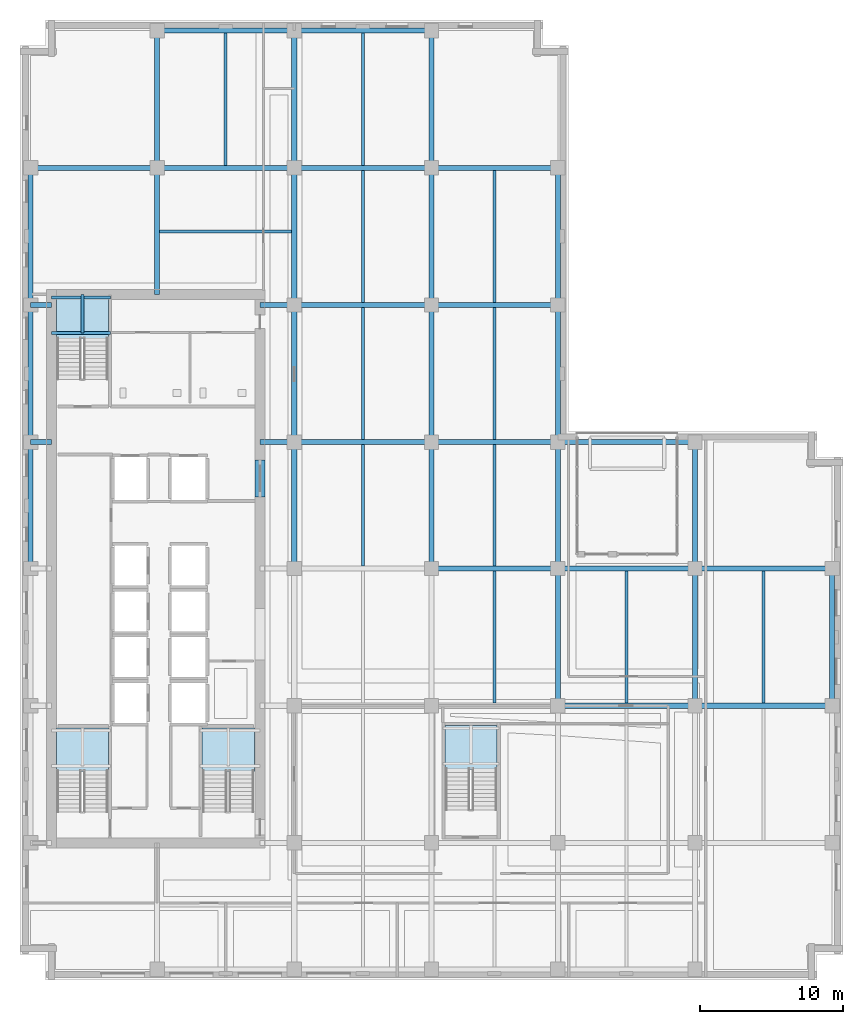
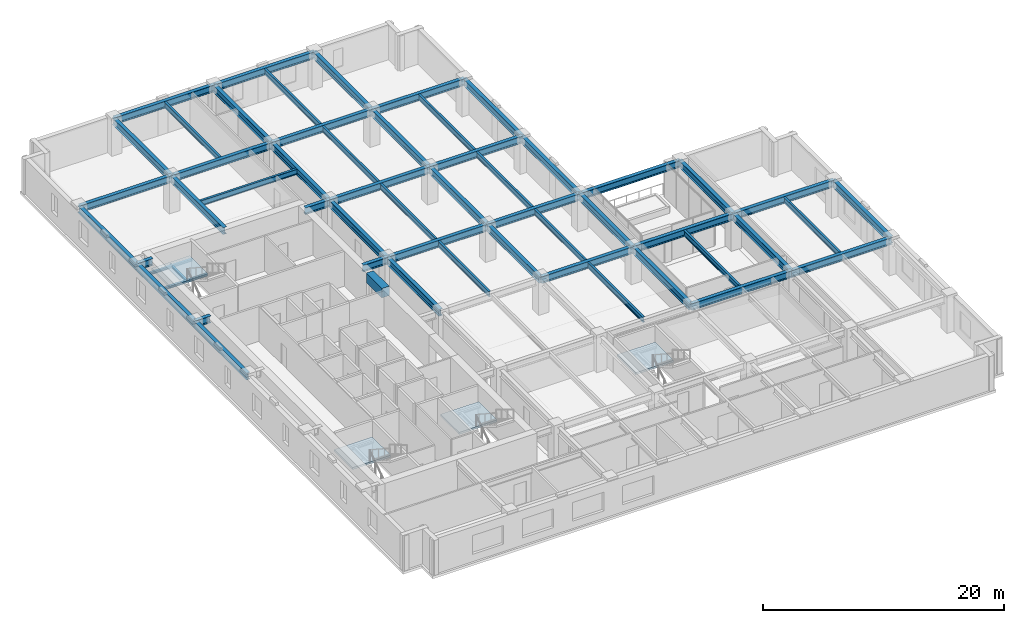
# One storey, part 2 of 16: 56 beams, 4 slabs, 4 elements without a shape of their own.
"""IFC4 building model written with IfcOpenShell, lengths in metres."""

from ifc_helpers import new_model, si_unit, direction, frame, origin, origin_2d, place, context, subcontext, project, spatial, polyline, rectangle, i_section, outline, extrude, material, layer, layer_set, material_profile, profile_set, type_object, element, aggregate, save


model = new_model("IFC4")

# Units and contexts
model_context = context("Model", 3, precision=1e-05, world=origin(), true_north=direction((0.0, 1.0)))
body_context = subcontext(model_context, "Body", "Model", "MODEL_VIEW")
ifc_project = project(units=[si_unit("LENGTHUNIT", "METRE"), si_unit("AREAUNIT", "SQUARE_METRE"), si_unit("VOLUMEUNIT", "CUBIC_METRE"), si_unit("PLANEANGLEUNIT", "RADIAN"), si_unit("MASSUNIT", "GRAM", prefix="KILO")], contexts=[model_context])

# Site, building, storey
site_placement = place(None, origin())
site = spatial("IfcSite", under=ifc_project, at=site_placement, CompositionType="ELEMENT")
building_placement = place(site_placement, origin())
building = spatial("IfcBuilding", under=site, at=building_placement, Name="Norrvale University Quadrangle", CompositionType="ELEMENT")
storey_placement = place(building_placement, frame((0.0, 0.0, 112.800048828125)))
storey = spatial("IfcBuildingStorey", under=building, at=storey_placement, Name="L28", CompositionType="ELEMENT", Elevation=112.800048828125)

# Beams
ifc_material_1 = material(Name="Steel 350W", Category="steel")
ifc_material_profile_1 = material_profile(ifc_material_1, i_section(OverallWidth=0.35498046875, OverallDepth=0.695068359375, WebThickness=0.015380859375, FlangeThickness=0.02490234375, FilletRadius=0.01806640625, at=origin_2d()), Name="Steel 350W")
ifc_profile_set_1 = profile_set([ifc_material_profile_1], Name="Steel 350W")
beam_type_1 = type_object("IfcBeamType", Name="Beam Belt W690x217", PredefinedType="BEAM", material=ifc_profile_set_1)
for number, where, z_axis, x_axis, name in (
    (1, (37.64990234375, 19.199951171875, 3.1923828125), (1.0, 0.0, 0.0), (0.0, 1.0, 0.0), "Beam Belt W690x217 BM-L28-GX011"),
    (2, (47.25, 19.199951171875, 3.1923828125), (1.0, 0.0, 0.0), (0.0, 1.0, 0.0), "Beam Belt W690x217 BM-L28-GX012"),
):
    element("IfcBeam", number, at=place(storey_placement, frame(where, z_axis=z_axis, x_axis=x_axis)), inside=storey, type_object=beam_type_1, Name=name, PredefinedType="BEAM", context=body_context, shape_type="SweptSolid", body=[
        extrude(i_section(OverallWidth=0.35498046875, OverallDepth=0.695068359375, WebThickness=0.015380859375, FlangeThickness=0.02490234375, FilletRadius=0.01806640625, at=origin_2d()), origin(), (0.0, 0.0, 1.0), 9.60009765625),
    ])
beam_1_placement = place(storey_placement, frame((28.800048828125, 28.800048828125, 3.1923828125), z_axis=(1.0, 0.0, 0.0), x_axis=(0.0, 1.0, 0.0)))
element("IfcBeam", 3, at=beam_1_placement, inside=storey, type_object=beam_type_1, Name="Beam Belt W690x217 BM-L28-GX014", PredefinedType="BEAM", context=body_context, shape_type="SweptSolid", body=[
    extrude(i_section(OverallWidth=0.35498046875, OverallDepth=0.695068359375, WebThickness=0.015380859375, FlangeThickness=0.02490234375, FilletRadius=0.01806640625, at=origin_2d()), origin(), (0.0, 0.0, 1.0), 8.849853515625),
])
for number, where, z_axis, x_axis, name in (
    (4, (37.64990234375, 28.800048828125, 3.1923828125), (1.0, 0.0, 0.0), (0.0, 1.0, 0.0), "Beam Belt W690x217 BM-L28-GX015"),
    (5, (47.25, 28.800048828125, 3.1923828125), (1.0, 0.0, 0.0), (0.0, 1.0, 0.0), "Beam Belt W690x217 BM-L28-GX016"),
    (6, (19.199951171875, 37.64990234375, 3.1923828125), (1.0, 0.0, 0.0), (0.0, 1.0, 0.0), "Beam Belt W690x217 BM-L28-GX017"),
):
    element("IfcBeam", number, at=place(storey_placement, frame(where, z_axis=z_axis, x_axis=x_axis)), inside=storey, type_object=beam_type_1, Name=name, PredefinedType="BEAM", context=body_context, shape_type="SweptSolid", body=[
        extrude(i_section(OverallWidth=0.35498046875, OverallDepth=0.695068359375, WebThickness=0.015380859375, FlangeThickness=0.02490234375, FilletRadius=0.01806640625, at=origin_2d()), origin(), (0.0, 0.0, 1.0), 9.60009765625),
    ])
beam_2_placement = place(storey_placement, frame((28.800048828125, 37.64990234375, 3.1923828125), z_axis=(1.0, 0.0, 0.0), x_axis=(0.0, 1.0, 0.0)))
element("IfcBeam", 7, at=beam_2_placement, inside=storey, type_object=beam_type_1, Name="Beam Belt W690x217 BM-L28-GX018", PredefinedType="BEAM", context=body_context, shape_type="SweptSolid", body=[
    extrude(i_section(OverallWidth=0.35498046875, OverallDepth=0.695068359375, WebThickness=0.015380859375, FlangeThickness=0.02490234375, FilletRadius=0.01806640625, at=origin_2d()), origin(), (0.0, 0.0, 1.0), 8.849853515625),
])
for number, where, z_axis, x_axis, name in (
    (8, (37.64990234375, 37.64990234375, 3.1923828125), (1.0, 0.0, 0.0), (0.0, 1.0, 0.0), "Beam Belt W690x217 BM-L28-GX019"),
    (9, (19.199951171875, 47.25, 3.1923828125), (1.0, 0.0, 0.0), (0.0, 1.0, 0.0), "Beam Belt W690x217 BM-L28-GX020"),
):
    element("IfcBeam", number, at=place(storey_placement, frame(where, z_axis=z_axis, x_axis=x_axis)), inside=storey, type_object=beam_type_1, Name=name, PredefinedType="BEAM", context=body_context, shape_type="SweptSolid", body=[
        extrude(i_section(OverallWidth=0.35498046875, OverallDepth=0.695068359375, WebThickness=0.015380859375, FlangeThickness=0.02490234375, FilletRadius=0.01806640625, at=origin_2d()), origin(), (0.0, 0.0, 1.0), 9.60009765625),
    ])
beam_3_placement = place(storey_placement, frame((28.800048828125, 47.25, 3.1923828125), z_axis=(1.0, 0.0, 0.0), x_axis=(0.0, 1.0, 0.0)))
element("IfcBeam", 10, at=beam_3_placement, inside=storey, type_object=beam_type_1, Name="Beam Belt W690x217 BM-L28-GX021", PredefinedType="BEAM", context=body_context, shape_type="SweptSolid", body=[
    extrude(i_section(OverallWidth=0.35498046875, OverallDepth=0.695068359375, WebThickness=0.015380859375, FlangeThickness=0.02490234375, FilletRadius=0.01806640625, at=origin_2d()), origin(), (0.0, 0.0, 1.0), 8.849853515625),
])
beam_4_placement = place(storey_placement, frame((0.75, 56.85009765625, 3.1923828125), z_axis=(1.0, 0.0, 0.0), x_axis=(0.0, 1.0, 0.0)))
element("IfcBeam", 11, at=beam_4_placement, inside=storey, type_object=beam_type_1, Name="Beam Belt W690x217 BM-L28-GX022", PredefinedType="BEAM", context=body_context, shape_type="SweptSolid", body=[
    extrude(i_section(OverallWidth=0.35498046875, OverallDepth=0.695068359375, WebThickness=0.015380859375, FlangeThickness=0.02490234375, FilletRadius=0.01806640625, at=origin_2d()), origin(), (0.0, 0.0, 1.0), 8.85009765625),
])
beam_5_placement = place(storey_placement, frame((9.60009765625, 56.85009765625, 3.1923828125), z_axis=(1.0, 0.0, 0.0), x_axis=(0.0, 1.0, 0.0)))
element("IfcBeam", 12, at=beam_5_placement, inside=storey, type_object=beam_type_1, Name="Beam Belt W690x217 BM-L28-GX023", PredefinedType="BEAM", context=body_context, shape_type="SweptSolid", body=[
    extrude(i_section(OverallWidth=0.35498046875, OverallDepth=0.695068359375, WebThickness=0.015380859375, FlangeThickness=0.02490234375, FilletRadius=0.01806640625, at=origin_2d()), origin(), (0.0, 0.0, 1.0), 9.599853515625),
])
beam_6_placement = place(storey_placement, frame((19.199951171875, 56.85009765625, 3.1923828125), z_axis=(1.0, 0.0, 0.0), x_axis=(0.0, 1.0, 0.0)))
element("IfcBeam", 13, at=beam_6_placement, inside=storey, type_object=beam_type_1, Name="Beam Belt W690x217 BM-L28-GX024", PredefinedType="BEAM", context=body_context, shape_type="SweptSolid", body=[
    extrude(i_section(OverallWidth=0.35498046875, OverallDepth=0.695068359375, WebThickness=0.015380859375, FlangeThickness=0.02490234375, FilletRadius=0.01806640625, at=origin_2d()), origin(), (0.0, 0.0, 1.0), 9.60009765625),
])
beam_7_placement = place(storey_placement, frame((28.800048828125, 56.85009765625, 3.1923828125), z_axis=(1.0, 0.0, 0.0), x_axis=(0.0, 1.0, 0.0)))
element("IfcBeam", 14, at=beam_7_placement, inside=storey, type_object=beam_type_1, Name="Beam Belt W690x217 BM-L28-GX025", PredefinedType="BEAM", context=body_context, shape_type="SweptSolid", body=[
    extrude(i_section(OverallWidth=0.35498046875, OverallDepth=0.695068359375, WebThickness=0.015380859375, FlangeThickness=0.02490234375, FilletRadius=0.01806640625, at=origin_2d()), origin(), (0.0, 0.0, 1.0), 8.849853515625),
])
beam_8_placement = place(storey_placement, frame((9.60009765625, 66.449951171875, 3.1923828125), z_axis=(1.0, 0.0, 0.0), x_axis=(0.0, 1.0, 0.0)))
element("IfcBeam", 15, at=beam_8_placement, inside=storey, type_object=beam_type_1, Name="Beam Belt W690x217 BM-L28-GX026", PredefinedType="BEAM", context=body_context, shape_type="SweptSolid", body=[
    extrude(i_section(OverallWidth=0.35498046875, OverallDepth=0.695068359375, WebThickness=0.015380859375, FlangeThickness=0.02490234375, FilletRadius=0.01806640625, at=origin_2d()), origin(), (0.0, 0.0, 1.0), 9.599853515625),
])
beam_9_placement = place(storey_placement, frame((19.199951171875, 66.449951171875, 3.1923828125), z_axis=(1.0, 0.0, 0.0), x_axis=(0.0, 1.0, 0.0)))
element("IfcBeam", 16, at=beam_9_placement, inside=storey, type_object=beam_type_1, Name="Beam Belt W690x217 BM-L28-GX027", PredefinedType="BEAM", context=body_context, shape_type="SweptSolid", body=[
    extrude(i_section(OverallWidth=0.35498046875, OverallDepth=0.695068359375, WebThickness=0.015380859375, FlangeThickness=0.02490234375, FilletRadius=0.01806640625, at=origin_2d()), origin(), (0.0, 0.0, 1.0), 9.60009765625),
])
beam_10_placement = place(storey_placement, frame((0.75, 28.800048828125, 3.1923828125), z_axis=(0.0, 1.0, 0.0), x_axis=(-1.0, 0.0, 0.0)))
element("IfcBeam", 17, at=beam_10_placement, inside=storey, type_object=beam_type_1, Name="Beam Belt W690x217 BM-L28-GY030", PredefinedType="BEAM", context=body_context, shape_type="SweptSolid", body=[
    extrude(i_section(OverallWidth=0.35498046875, OverallDepth=0.695068359375, WebThickness=0.015380859375, FlangeThickness=0.02490234375, FilletRadius=0.01806640625, at=origin_2d()), origin(), (0.0, 0.0, 1.0), 8.849853515625),
])
for number, where, z_axis, x_axis, name in (
    (18, (0.75, 37.64990234375, 3.1923828125), (0.0, 1.0, 0.0), (-1.0, 0.0, 0.0), "Beam Belt W690x217 BM-L28-GY031"),
    (19, (0.75, 47.25, 3.1923828125), (0.0, 1.0, 0.0), (-1.0, 0.0, 0.0), "Beam Belt W690x217 BM-L28-GY032"),
):
    element("IfcBeam", number, at=place(storey_placement, frame(where, z_axis=z_axis, x_axis=x_axis)), inside=storey, type_object=beam_type_1, Name=name, PredefinedType="BEAM", context=body_context, shape_type="SweptSolid", body=[
        extrude(i_section(OverallWidth=0.35498046875, OverallDepth=0.695068359375, WebThickness=0.015380859375, FlangeThickness=0.02490234375, FilletRadius=0.01806640625, at=origin_2d()), origin(), (0.0, 0.0, 1.0), 9.60009765625),
    ])
beam_11_placement = place(storey_placement, frame((9.60009765625, 56.85009765625, 3.1923828125), z_axis=(0.0, 1.0, 0.0), x_axis=(-1.0, 0.0, 0.0)))
element("IfcBeam", 20, at=beam_11_placement, inside=storey, type_object=beam_type_1, Name="Beam Belt W690x217 BM-L28-GY033", PredefinedType="BEAM", context=body_context, shape_type="SweptSolid", body=[
    extrude(i_section(OverallWidth=0.35498046875, OverallDepth=0.695068359375, WebThickness=0.015380859375, FlangeThickness=0.02490234375, FilletRadius=0.01806640625, at=origin_2d()), origin(), (0.0, 0.0, 1.0), 9.599853515625),
])
beam_12_placement = place(storey_placement, frame((19.199951171875, 28.800048828125, 3.1923828125), z_axis=(0.0, 1.0, 0.0), x_axis=(-1.0, 0.0, 0.0)))
element("IfcBeam", 21, at=beam_12_placement, inside=storey, type_object=beam_type_1, Name="Beam Belt W690x217 BM-L28-GY037", PredefinedType="BEAM", context=body_context, shape_type="SweptSolid", body=[
    extrude(i_section(OverallWidth=0.35498046875, OverallDepth=0.695068359375, WebThickness=0.015380859375, FlangeThickness=0.02490234375, FilletRadius=0.01806640625, at=origin_2d()), origin(), (0.0, 0.0, 1.0), 8.849853515625),
])
for number, where, z_axis, x_axis, name in (
    (22, (19.199951171875, 37.64990234375, 3.1923828125), (0.0, 1.0, 0.0), (-1.0, 0.0, 0.0), "Beam Belt W690x217 BM-L28-GY038"),
    (23, (19.199951171875, 47.25, 3.1923828125), (0.0, 1.0, 0.0), (-1.0, 0.0, 0.0), "Beam Belt W690x217 BM-L28-GY039"),
):
    element("IfcBeam", number, at=place(storey_placement, frame(where, z_axis=z_axis, x_axis=x_axis)), inside=storey, type_object=beam_type_1, Name=name, PredefinedType="BEAM", context=body_context, shape_type="SweptSolid", body=[
        extrude(i_section(OverallWidth=0.35498046875, OverallDepth=0.695068359375, WebThickness=0.015380859375, FlangeThickness=0.02490234375, FilletRadius=0.01806640625, at=origin_2d()), origin(), (0.0, 0.0, 1.0), 9.60009765625),
    ])
beam_13_placement = place(storey_placement, frame((19.199951171875, 56.85009765625, 3.1923828125), z_axis=(0.0, 1.0, 0.0), x_axis=(-1.0, 0.0, 0.0)))
element("IfcBeam", 24, at=beam_13_placement, inside=storey, type_object=beam_type_1, Name="Beam Belt W690x217 BM-L28-GY040", PredefinedType="BEAM", context=body_context, shape_type="SweptSolid", body=[
    extrude(i_section(OverallWidth=0.35498046875, OverallDepth=0.695068359375, WebThickness=0.015380859375, FlangeThickness=0.02490234375, FilletRadius=0.01806640625, at=origin_2d()), origin(), (0.0, 0.0, 1.0), 9.599853515625),
])
beam_14_placement = place(storey_placement, frame((28.800048828125, 28.800048828125, 3.1923828125), z_axis=(0.0, 1.0, 0.0), x_axis=(-1.0, 0.0, 0.0)))
element("IfcBeam", 25, at=beam_14_placement, inside=storey, type_object=beam_type_1, Name="Beam Belt W690x217 BM-L28-GY044", PredefinedType="BEAM", context=body_context, shape_type="SweptSolid", body=[
    extrude(i_section(OverallWidth=0.35498046875, OverallDepth=0.695068359375, WebThickness=0.015380859375, FlangeThickness=0.02490234375, FilletRadius=0.01806640625, at=origin_2d()), origin(), (0.0, 0.0, 1.0), 8.849853515625),
])
for number, where, z_axis, x_axis, name in (
    (26, (28.800048828125, 37.64990234375, 3.1923828125), (0.0, 1.0, 0.0), (-1.0, 0.0, 0.0), "Beam Belt W690x217 BM-L28-GY045"),
    (27, (28.800048828125, 47.25, 3.1923828125), (0.0, 1.0, 0.0), (-1.0, 0.0, 0.0), "Beam Belt W690x217 BM-L28-GY046"),
):
    element("IfcBeam", number, at=place(storey_placement, frame(where, z_axis=z_axis, x_axis=x_axis)), inside=storey, type_object=beam_type_1, Name=name, PredefinedType="BEAM", context=body_context, shape_type="SweptSolid", body=[
        extrude(i_section(OverallWidth=0.35498046875, OverallDepth=0.695068359375, WebThickness=0.015380859375, FlangeThickness=0.02490234375, FilletRadius=0.01806640625, at=origin_2d()), origin(), (0.0, 0.0, 1.0), 9.60009765625),
    ])
beam_15_placement = place(storey_placement, frame((28.800048828125, 56.85009765625, 3.1923828125), z_axis=(0.0, 1.0, 0.0), x_axis=(-1.0, 0.0, 0.0)))
element("IfcBeam", 28, at=beam_15_placement, inside=storey, type_object=beam_type_1, Name="Beam Belt W690x217 BM-L28-GY047", PredefinedType="BEAM", context=body_context, shape_type="SweptSolid", body=[
    extrude(i_section(OverallWidth=0.35498046875, OverallDepth=0.695068359375, WebThickness=0.015380859375, FlangeThickness=0.02490234375, FilletRadius=0.01806640625, at=origin_2d()), origin(), (0.0, 0.0, 1.0), 9.599853515625),
])
beam_16_placement = place(storey_placement, frame((37.64990234375, 19.199951171875, 3.1923828125), z_axis=(0.0, 1.0, 0.0), x_axis=(-1.0, 0.0, 0.0)))
element("IfcBeam", 29, at=beam_16_placement, inside=storey, type_object=beam_type_1, Name="Beam Belt W690x217 BM-L28-GY050", PredefinedType="BEAM", context=body_context, shape_type="SweptSolid", body=[
    extrude(i_section(OverallWidth=0.35498046875, OverallDepth=0.695068359375, WebThickness=0.015380859375, FlangeThickness=0.02490234375, FilletRadius=0.01806640625, at=origin_2d()), origin(), (0.0, 0.0, 1.0), 9.60009765625),
])
beam_17_placement = place(storey_placement, frame((37.64990234375, 28.800048828125, 3.1923828125), z_axis=(0.0, 1.0, 0.0), x_axis=(-1.0, 0.0, 0.0)))
element("IfcBeam", 30, at=beam_17_placement, inside=storey, type_object=beam_type_1, Name="Beam Belt W690x217 BM-L28-GY051", PredefinedType="BEAM", context=body_context, shape_type="SweptSolid", body=[
    extrude(i_section(OverallWidth=0.35498046875, OverallDepth=0.695068359375, WebThickness=0.015380859375, FlangeThickness=0.02490234375, FilletRadius=0.01806640625, at=origin_2d()), origin(), (0.0, 0.0, 1.0), 8.849853515625),
])
for number, where, z_axis, x_axis, name in (
    (31, (37.64990234375, 37.64990234375, 3.1923828125), (0.0, 1.0, 0.0), (-1.0, 0.0, 0.0), "Beam Belt W690x217 BM-L28-GY052"),
    (32, (37.64990234375, 47.25, 3.1923828125), (0.0, 1.0, 0.0), (-1.0, 0.0, 0.0), "Beam Belt W690x217 BM-L28-GY053"),
    (33, (47.25, 19.199951171875, 3.1923828125), (0.0, 1.0, 0.0), (-1.0, 0.0, 0.0), "Beam Belt W690x217 BM-L28-GY056"),
):
    element("IfcBeam", number, at=place(storey_placement, frame(where, z_axis=z_axis, x_axis=x_axis)), inside=storey, type_object=beam_type_1, Name=name, PredefinedType="BEAM", context=body_context, shape_type="SweptSolid", body=[
        extrude(i_section(OverallWidth=0.35498046875, OverallDepth=0.695068359375, WebThickness=0.015380859375, FlangeThickness=0.02490234375, FilletRadius=0.01806640625, at=origin_2d()), origin(), (0.0, 0.0, 1.0), 9.60009765625),
    ])
beam_18_placement = place(storey_placement, frame((47.25, 28.800048828125, 3.1923828125), z_axis=(0.0, 1.0, 0.0), x_axis=(-1.0, 0.0, 0.0)))
element("IfcBeam", 34, at=beam_18_placement, inside=storey, type_object=beam_type_1, Name="Beam Belt W690x217 BM-L28-GY057", PredefinedType="BEAM", context=body_context, shape_type="SweptSolid", body=[
    extrude(i_section(OverallWidth=0.35498046875, OverallDepth=0.695068359375, WebThickness=0.015380859375, FlangeThickness=0.02490234375, FilletRadius=0.01806640625, at=origin_2d()), origin(), (0.0, 0.0, 1.0), 8.849853515625),
])
beam_19_placement = place(storey_placement, frame((56.85009765625, 19.199951171875, 3.1923828125), z_axis=(0.0, 1.0, 0.0), x_axis=(-1.0, 0.0, 0.0)))
element("IfcBeam", 35, at=beam_19_placement, inside=storey, type_object=beam_type_1, Name="Beam Belt W690x217 BM-L28-GY059", PredefinedType="BEAM", context=body_context, shape_type="SweptSolid", body=[
    extrude(i_section(OverallWidth=0.35498046875, OverallDepth=0.695068359375, WebThickness=0.015380859375, FlangeThickness=0.02490234375, FilletRadius=0.01806640625, at=origin_2d()), origin(), (0.0, 0.0, 1.0), 9.60009765625),
])
beam_20_placement = place(storey_placement, frame((0.75, 37.64990234375, 3.1923828125), z_axis=(1.0, 0.0, 0.0), x_axis=(0.0, 1.0, 0.0)))
element("IfcBeam", 36, at=beam_20_placement, inside=storey, type_object=beam_type_1, Name="Beam Belt W690x217 BM-L28-GCW066", PredefinedType="BEAM", context=body_context, shape_type="SweptSolid", body=[
    extrude(i_section(OverallWidth=0.35498046875, OverallDepth=0.695068359375, WebThickness=0.015380859375, FlangeThickness=0.02490234375, FilletRadius=0.01806640625, at=origin_2d()), origin(), (0.0, 0.0, 1.0), 1.449951171875),
])
beam_21_placement = place(storey_placement, frame((16.800048828125, 37.64990234375, 3.1923828125), z_axis=(1.0, 0.0, 0.0), x_axis=(0.0, 1.0, 0.0)))
element("IfcBeam", 37, at=beam_21_placement, inside=storey, type_object=beam_type_1, Name="Beam Belt W690x217 BM-L28-GCE067", PredefinedType="BEAM", context=body_context, shape_type="SweptSolid", body=[
    extrude(i_section(OverallWidth=0.35498046875, OverallDepth=0.695068359375, WebThickness=0.015380859375, FlangeThickness=0.02490234375, FilletRadius=0.01806640625, at=origin_2d()), origin(), (0.0, 0.0, 1.0), 2.39990234375),
])
beam_22_placement = place(storey_placement, frame((0.75, 47.25, 3.1923828125), z_axis=(1.0, 0.0, 0.0), x_axis=(0.0, 1.0, 0.0)))
element("IfcBeam", 38, at=beam_22_placement, inside=storey, type_object=beam_type_1, Name="Beam Belt W690x217 BM-L28-GCW068", PredefinedType="BEAM", context=body_context, shape_type="SweptSolid", body=[
    extrude(i_section(OverallWidth=0.35498046875, OverallDepth=0.695068359375, WebThickness=0.015380859375, FlangeThickness=0.02490234375, FilletRadius=0.01806640625, at=origin_2d()), origin(), (0.0, 0.0, 1.0), 1.449951171875),
])
beam_23_placement = place(storey_placement, frame((16.800048828125, 47.25, 3.1923828125), z_axis=(1.0, 0.0, 0.0), x_axis=(0.0, 1.0, 0.0)))
element("IfcBeam", 39, at=beam_23_placement, inside=storey, type_object=beam_type_1, Name="Beam Belt W690x217 BM-L28-GCE069", PredefinedType="BEAM", context=body_context, shape_type="SweptSolid", body=[
    extrude(i_section(OverallWidth=0.35498046875, OverallDepth=0.695068359375, WebThickness=0.015380859375, FlangeThickness=0.02490234375, FilletRadius=0.01806640625, at=origin_2d()), origin(), (0.0, 0.0, 1.0), 2.39990234375),
])
beam_24_placement = place(storey_placement, frame((9.60009765625, 48.0, 3.1923828125), z_axis=(0.0, 1.0, 0.0), x_axis=(-1.0, 0.0, 0.0)))
element("IfcBeam", 40, at=beam_24_placement, inside=storey, type_object=beam_type_1, Name="Beam Belt W690x217 BM-L28-GCN090", PredefinedType="BEAM", context=body_context, shape_type="SweptSolid", body=[
    extrude(i_section(OverallWidth=0.35498046875, OverallDepth=0.695068359375, WebThickness=0.015380859375, FlangeThickness=0.02490234375, FilletRadius=0.01806640625, at=origin_2d()), origin(), (0.0, 0.0, 1.0), 8.85009765625),
])
ifc_material_2 = material(Name="Concrete C80/95", Category="concrete")
ifc_material_profile_2 = material_profile(ifc_material_2, rectangle(XDim=0.699951171875, YDim=0.949951171875, at=origin_2d()), Name="Concrete C80/95")
ifc_profile_set_2 = profile_set([ifc_material_profile_2], Name="Concrete C80/95")
beam_type_2 = type_object("IfcBeamType", Name="Beam Core Link 700x950", PredefinedType="LINTEL", material=ifc_profile_set_2)
beam_25_placement = place(storey_placement, frame((16.800048828125, 33.800048828125, 3.06494140625), z_axis=(0.0, 1.0, 0.0), x_axis=(-1.0, 0.0, 0.0)))
element("IfcBeam", 41, at=beam_25_placement, inside=storey, type_object=beam_type_2, Name="Core Coupling Lintel Beam L28-2", PredefinedType="LINTEL", context=body_context, shape_type="SweptSolid", body=[
    extrude(rectangle(XDim=0.699951171875, YDim=0.949951171875, at=origin_2d()), origin(), (0.0, 0.0, 1.0), 2.599853515625),
])
ifc_material_profile_3 = material_profile(ifc_material_1, i_section(OverallWidth=0.2119140625, OverallDepth=0.5439453125, WebThickness=0.01318359375, FlangeThickness=0.021240234375, FilletRadius=0.013916015625, at=origin_2d()), Name="Steel 350W")
ifc_profile_set_3 = profile_set([ifc_material_profile_3], Name="Steel 350W")
beam_type_3 = type_object("IfcBeamType", Name="Beam Floor W530x123", PredefinedType="BEAM", material=ifc_profile_set_3)
beam_26_placement = place(storey_placement, frame((14.39990234375, 57.027587890625, 3.26806640625), z_axis=(0.0, 1.0, 0.0), x_axis=(-1.0, 0.0, 0.0)))
element("IfcBeam", 42, at=beam_26_placement, inside=storey, type_object=beam_type_3, Name="Beam Floor W530x123 BM-L28-J070", PredefinedType="BEAM", context=body_context, shape_type="SweptSolid", body=[
    extrude(i_section(OverallWidth=0.2119140625, OverallDepth=0.5439453125, WebThickness=0.01318359375, FlangeThickness=0.021240234375, FilletRadius=0.013916015625, at=origin_2d()), origin(), (0.0, 0.0, 1.0), 9.244873046875),
])
beam_27_placement = place(storey_placement, frame((24.0, 28.9775390625, 3.26806640625), z_axis=(0.0, 1.0, 0.0), x_axis=(-1.0, 0.0, 0.0)))
element("IfcBeam", 43, at=beam_27_placement, inside=storey, type_object=beam_type_3, Name="Beam Floor W530x123 BM-L28-J074", PredefinedType="BEAM", context=body_context, shape_type="SweptSolid", body=[
    extrude(i_section(OverallWidth=0.2119140625, OverallDepth=0.5439453125, WebThickness=0.01318359375, FlangeThickness=0.021240234375, FilletRadius=0.013916015625, at=origin_2d()), origin(), (0.0, 0.0, 1.0), 8.494873046875),
])
for number, where, z_axis, x_axis, name in (
    (44, (24.0, 37.827392578125, 3.26806640625), (0.0, 1.0, 0.0), (-1.0, 0.0, 0.0), "Beam Floor W530x123 BM-L28-J075"),
    (45, (24.0, 47.427490234375, 3.26806640625), (0.0, 1.0, 0.0), (-1.0, 0.0, 0.0), "Beam Floor W530x123 BM-L28-J076"),
):
    element("IfcBeam", number, at=place(storey_placement, frame(where, z_axis=z_axis, x_axis=x_axis)), inside=storey, type_object=beam_type_3, Name=name, PredefinedType="BEAM", context=body_context, shape_type="SweptSolid", body=[
        extrude(i_section(OverallWidth=0.2119140625, OverallDepth=0.5439453125, WebThickness=0.01318359375, FlangeThickness=0.021240234375, FilletRadius=0.013916015625, at=origin_2d()), origin(), (0.0, 0.0, 1.0), 9.2451171875),
    ])
beam_28_placement = place(storey_placement, frame((24.0, 57.027587890625, 3.26806640625), z_axis=(0.0, 1.0, 0.0), x_axis=(-1.0, 0.0, 0.0)))
element("IfcBeam", 46, at=beam_28_placement, inside=storey, type_object=beam_type_3, Name="Beam Floor W530x123 BM-L28-J077", PredefinedType="BEAM", context=body_context, shape_type="SweptSolid", body=[
    extrude(i_section(OverallWidth=0.2119140625, OverallDepth=0.5439453125, WebThickness=0.01318359375, FlangeThickness=0.021240234375, FilletRadius=0.013916015625, at=origin_2d()), origin(), (0.0, 0.0, 1.0), 9.244873046875),
])
beam_29_placement = place(storey_placement, frame((33.22509765625, 19.37744140625, 3.26806640625), z_axis=(0.0, 1.0, 0.0), x_axis=(-1.0, 0.0, 0.0)))
element("IfcBeam", 47, at=beam_29_placement, inside=storey, type_object=beam_type_3, Name="Beam Floor W530x123 BM-L28-J079", PredefinedType="BEAM", context=body_context, shape_type="SweptSolid", body=[
    extrude(i_section(OverallWidth=0.2119140625, OverallDepth=0.5439453125, WebThickness=0.01318359375, FlangeThickness=0.021240234375, FilletRadius=0.013916015625, at=origin_2d()), origin(), (0.0, 0.0, 1.0), 9.2451171875),
])
beam_30_placement = place(storey_placement, frame((33.22509765625, 28.9775390625, 3.26806640625), z_axis=(0.0, 1.0, 0.0), x_axis=(-1.0, 0.0, 0.0)))
element("IfcBeam", 48, at=beam_30_placement, inside=storey, type_object=beam_type_3, Name="Beam Floor W530x123 BM-L28-J080", PredefinedType="BEAM", context=body_context, shape_type="SweptSolid", body=[
    extrude(i_section(OverallWidth=0.2119140625, OverallDepth=0.5439453125, WebThickness=0.01318359375, FlangeThickness=0.021240234375, FilletRadius=0.013916015625, at=origin_2d()), origin(), (0.0, 0.0, 1.0), 8.494873046875),
])
for number, where, z_axis, x_axis, name in (
    (49, (33.22509765625, 37.827392578125, 3.26806640625), (0.0, 1.0, 0.0), (-1.0, 0.0, 0.0), "Beam Floor W530x123 BM-L28-J081"),
    (50, (33.22509765625, 47.427490234375, 3.26806640625), (0.0, 1.0, 0.0), (-1.0, 0.0, 0.0), "Beam Floor W530x123 BM-L28-J082"),
    (51, (42.449951171875, 19.37744140625, 3.26806640625), (0.0, 1.0, 0.0), (-1.0, 0.0, 0.0), "Beam Floor W530x123 BM-L28-J085"),
    (52, (52.050048828125, 19.37744140625, 3.26806640625), (0.0, 1.0, 0.0), (-1.0, 0.0, 0.0), "Beam Floor W530x123 BM-L28-J087"),
):
    element("IfcBeam", number, at=place(storey_placement, frame(where, z_axis=z_axis, x_axis=x_axis)), inside=storey, type_object=beam_type_3, Name=name, PredefinedType="BEAM", context=body_context, shape_type="SweptSolid", body=[
        extrude(i_section(OverallWidth=0.2119140625, OverallDepth=0.5439453125, WebThickness=0.01318359375, FlangeThickness=0.021240234375, FilletRadius=0.013916015625, at=origin_2d()), origin(), (0.0, 0.0, 1.0), 9.2451171875),
    ])
beam_31_placement = place(storey_placement, frame((9.777587890625, 52.39990234375, 3.26806640625), z_axis=(1.0, 0.0, 0.0), x_axis=(0.0, 1.0, 0.0)))
element("IfcBeam", 53, at=beam_31_placement, inside=storey, type_object=beam_type_3, Name="Beam Floor W530x123 BM-L28-JCN091", PredefinedType="BEAM", context=body_context, shape_type="SweptSolid", body=[
    extrude(i_section(OverallWidth=0.2119140625, OverallDepth=0.5439453125, WebThickness=0.01318359375, FlangeThickness=0.021240234375, FilletRadius=0.013916015625, at=origin_2d()), origin(), (0.0, 0.0, 1.0), 9.244873046875),
])
ifc_material_profile_4 = material_profile(ifc_material_1, i_section(OverallWidth=0.201904296875, OverallDepth=0.2470703125, WebThickness=0.00732421875, FlangeThickness=0.010986328125, FilletRadius=0.011962890625, at=origin_2d()), Name="Steel 350W")
ifc_profile_set_4 = profile_set([ifc_material_profile_4], Name="Steel 350W")
beam_type_4 = type_object("IfcBeamType", Name="Beam Stair W250x49", PredefinedType="BEAM", material=ifc_profile_set_4)
for number, where, z_axis, x_axis, name in (
    (54, (2.199951171875, 45.2900390625, 1.576416015625), (1.0, 0.0, 0.0), (0.0, 1.0, 0.0), "Stair Mid-Landing Front Beam ST-02 L28"),
    (55, (2.199951171875, 47.77001953125, 1.576416015625), (1.0, 0.0, 0.0), (0.0, 1.0, 0.0), "Stair Mid-Landing Rear Beam ST-02 L28"),
):
    element("IfcBeam", number, at=place(storey_placement, frame(where, z_axis=z_axis, x_axis=x_axis)), inside=storey, type_object=beam_type_4, Name=name, PredefinedType="BEAM", context=body_context, shape_type="SweptSolid", body=[
        extrude(i_section(OverallWidth=0.201904296875, OverallDepth=0.2470703125, WebThickness=0.00732421875, FlangeThickness=0.010986328125, FilletRadius=0.011962890625, at=origin_2d()), origin(), (0.0, 0.0, 1.0), 4.14013671875),
    ])
ifc_material_profile_5 = material_profile(ifc_material_1, i_section(OverallWidth=0.202880859375, OverallDepth=0.202880859375, WebThickness=0.007080078125, FlangeThickness=0.010986328125, FilletRadius=0.010009765625, at=origin_2d()), Name="Steel 350W")
ifc_profile_set_5 = profile_set([ifc_material_profile_5], Name="Steel 350W")
beam_type_5 = type_object("IfcBeamType", Name="Beam Trim W200x46", PredefinedType="BEAM", material=ifc_profile_set_5)
beam_32_placement = place(storey_placement, frame((4.375, 45.2900390625, 1.598388671875), z_axis=(0.0, 1.0, 0.0), x_axis=(-1.0, 0.0, 0.0)))
element("IfcBeam", 56, at=beam_32_placement, inside=storey, type_object=beam_type_5, Name="Stair Mid-Landing Cross Beam ST-02 L28", PredefinedType="BEAM", context=body_context, shape_type="SweptSolid", body=[
    extrude(i_section(OverallWidth=0.202880859375, OverallDepth=0.202880859375, WebThickness=0.007080078125, FlangeThickness=0.010986328125, FilletRadius=0.010009765625, at=origin_2d()), origin(), (0.0, 0.0, 1.0), 2.7099609375),
])

# Stair, slab
ifc_material_3 = material(Name="Concrete C40/50", Category="concrete")
stair_type = type_object("IfcStairType", Name="Stair Tower Typ 3800", PredefinedType="TWO_STRAIGHT_RUN_STAIR", material=ifc_material_3)
stair_1_placement = place(storey_placement, origin())
stair_1 = element("IfcStair", 57, at=stair_1_placement, inside=storey, type_object=stair_type, Name="Exit Stair ST-01 L28", PredefinedType="TWO_STRAIGHT_RUN_STAIR")
ifc_layer = layer(ifc_material_3, 0.199951171875, Name="Concrete C40/50")
ifc_layer_set = layer_set([ifc_layer], Name="Concrete C40/50")
slab_type = type_object("IfcSlabType", Name="Slab Landing 200", PredefinedType="LANDING", material=ifc_layer_set)
slab_1_placement = place(storey_placement, frame((0.0, 0.0, 1.699951171875)))
slab_1 = element("IfcSlab", 58, at=slab_1_placement, type_object=slab_type, Name="Exit Stair ST-01 L28 Mid Landing", PredefinedType="LANDING", context=body_context, shape_type="SweptSolid", body=[
    extrude(outline(polyline([(2.550048828125, 14.590087890625), (6.199951171875, 14.590087890625), (6.199951171875, 17.64990234375), (2.550048828125, 17.64990234375), (2.550048828125, 14.590087890625)])), origin(), (0.0, 0.0, 1.0), 0.199951171875),
])
aggregate(stair_1, [slab_1])

stair_2_placement = place(storey_placement, origin())
stair_2 = element("IfcStair", 59, at=stair_2_placement, inside=storey, type_object=stair_type, Name="Exit Stair ST-02 L28", PredefinedType="TWO_STRAIGHT_RUN_STAIR")
slab_2_placement = place(storey_placement, frame((0.0, 0.0, 1.699951171875)))
slab_2 = element("IfcSlab", 60, at=slab_2_placement, type_object=slab_type, Name="Exit Stair ST-02 L28 Mid Landing", PredefinedType="LANDING", context=body_context, shape_type="SweptSolid", body=[
    extrude(outline(polyline([(2.550048828125, 44.889892578125), (6.199951171875, 44.889892578125), (6.199951171875, 47.949951171875), (2.550048828125, 47.949951171875), (2.550048828125, 44.889892578125)])), origin(), (0.0, 0.0, 1.0), 0.199951171875),
])
aggregate(stair_2, [slab_2])

stair_3_placement = place(storey_placement, origin())
stair_3 = element("IfcStair", 61, at=stair_3_placement, inside=storey, type_object=stair_type, Name="Exit Stair ST-03 L28", PredefinedType="TWO_STRAIGHT_RUN_STAIR")
slab_3_placement = place(storey_placement, frame((0.0, 0.0, 1.699951171875)))
slab_3 = element("IfcSlab", 62, at=slab_3_placement, type_object=slab_type, Name="Exit Stair ST-03 L28 Mid Landing", PredefinedType="LANDING", context=body_context, shape_type="SweptSolid", body=[
    extrude(outline(polyline([(12.75, 14.590087890625), (16.39990234375, 14.590087890625), (16.39990234375, 17.64990234375), (12.75, 17.64990234375), (12.75, 14.590087890625)])), origin(), (0.0, 0.0, 1.0), 0.199951171875),
])
aggregate(stair_3, [slab_3])

stair_4_placement = place(storey_placement, origin())
stair_4 = element("IfcStair", 63, at=stair_4_placement, inside=storey, type_object=stair_type, Name="Exit Stair ST-04 L28", PredefinedType="TWO_STRAIGHT_RUN_STAIR")
slab_4_placement = place(storey_placement, frame((0.0, 0.0, 1.699951171875)))
slab_4 = element("IfcSlab", 64, at=slab_4_placement, type_object=slab_type, Name="Exit Stair ST-04 L28 Mid Landing", PredefinedType="LANDING", context=body_context, shape_type="SweptSolid", body=[
    extrude(outline(polyline([(29.75, 14.739990234375), (33.39990234375, 14.739990234375), (33.39990234375, 17.800048828125), (29.75, 17.800048828125), (29.75, 14.739990234375)])), origin(), (0.0, 0.0, 1.0), 0.199951171875),
])
aggregate(stair_4, [slab_4])

save(model, "model.ifc")
